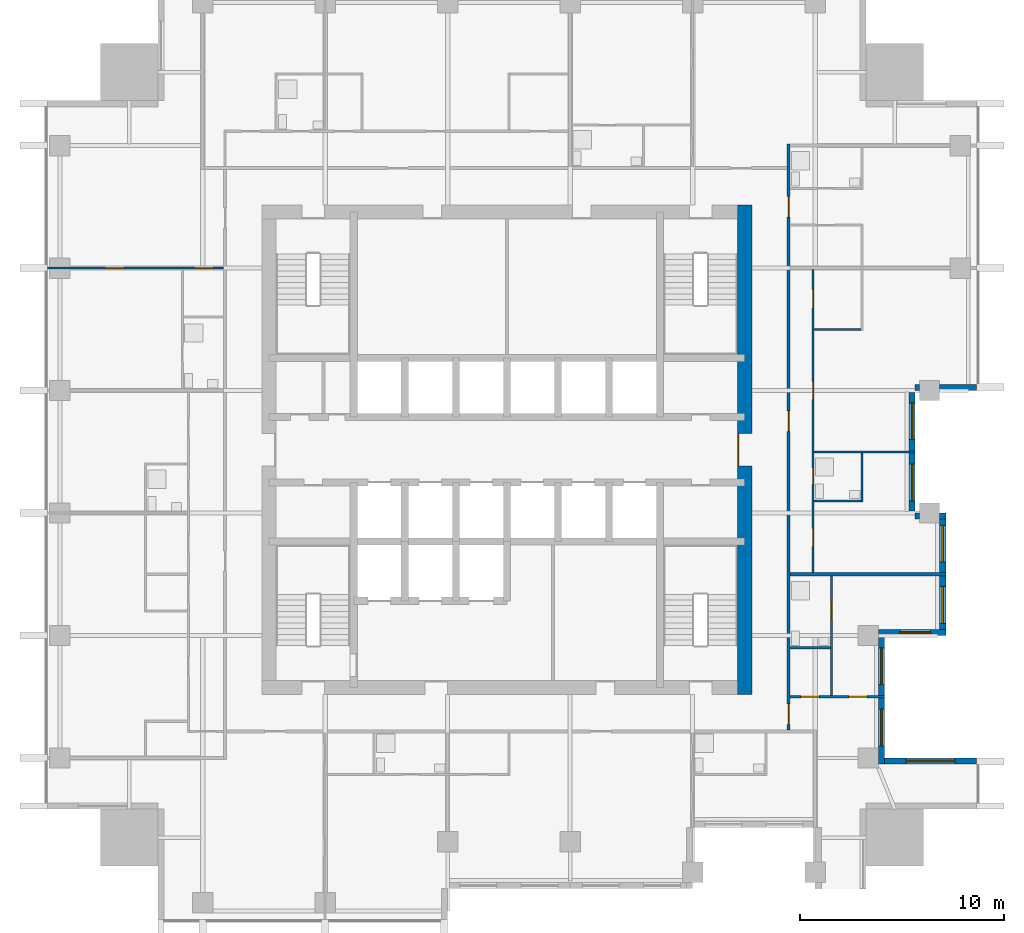
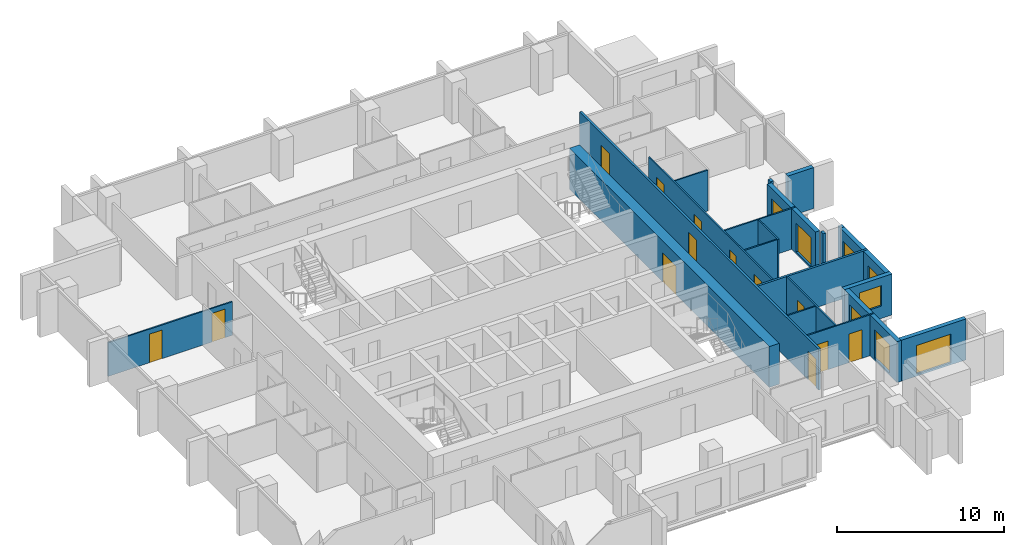
# One storey, part 6 of 10: 21 walls, 13 doors, 8 windows, 21 openings.
"""IFC4 building model written with IfcOpenShell, lengths in metres."""

from ifc_helpers import new_model, si_unit, direction, frame, frame_2d, origin, place, context, subcontext, project, spatial, rectangle, extrude, material, layer, layer_set, type_object, element, fill, save


model = new_model("IFC4")

# Units and contexts
model_context = context("Model", 3, precision=1e-05, world=origin(), true_north=direction((0.0, 1.0)))
body_context = subcontext(model_context, "Body", "Model", "MODEL_VIEW")
ifc_project = project(units=[si_unit("LENGTHUNIT", "METRE"), si_unit("AREAUNIT", "SQUARE_METRE"), si_unit("VOLUMEUNIT", "CUBIC_METRE"), si_unit("PLANEANGLEUNIT", "RADIAN"), si_unit("MASSUNIT", "GRAM", prefix="KILO")], contexts=[model_context])

# Site, building, storey
site_placement = place(None, origin())
site = spatial("IfcSite", under=ifc_project, at=site_placement, CompositionType="ELEMENT")
building_placement = place(site_placement, origin())
building = spatial("IfcBuilding", under=site, at=building_placement, Name="Amberfall Residences", CompositionType="ELEMENT")
storey_placement = place(building_placement, frame((0.0, 0.0, 147.10009765625)))
storey = spatial("IfcBuildingStorey", under=building, at=storey_placement, Name="L39", CompositionType="ELEMENT", Elevation=147.10009765625)

# Wall, opening, window
ifc_material_1 = material(Name="Pale stone cladding on insulated backing", Category="masonry")
ifc_layer_1 = layer(ifc_material_1, 0.300048828125)
ifc_layer_set_1 = layer_set([ifc_layer_1], Name="Bronze clad wall 300")
wall_type_1 = type_object("IfcWallType", Name="Bronze clad wall 300", PredefinedType="SOLIDWALL", material=ifc_layer_set_1)
wall_1_placement = place(storey_placement, frame((97.5, 30.25, 0.0), z_axis=(0.0, 0.0, 1.0), x_axis=(-1.0, 0.0, 0.0)))
wall_1 = element("IfcWall", 1, at=wall_1_placement, inside=storey, type_object=wall_type_1, Name="External wall L39 E", PredefinedType="SOLIDWALL", context=body_context, shape_type="SweptSolid", body=[
    extrude(rectangle(XDim=4.5, YDim=0.300048828125, at=frame_2d((2.25, 0.0))), origin(), (0.0, 0.0, 1.0), 3.0),
])
opening_1_placement = place(wall_1_placement, frame((1.050048828125, 0.0, 0.14990234375)))
opening_1 = element("IfcOpeningElement", 2, at=opening_1_placement, cuts=wall_1, Name="Opening WN5", PredefinedType="OPENING", context=body_context, shape_type="SweptSolid", body=[
    extrude(rectangle(XDim=2.39990234375, YDim=2.10009765625, at=frame_2d((1.199951171875, 1.050048828125))), frame((0.0, 0.159912109375, 0.0), z_axis=(0.0, -1.0, 0.0), x_axis=(1.0, 0.0, 0.0)), (0.0, 0.0, 1.0), 0.320068359375),
])
ifc_material_2 = material(Name="Bronze aluminium framed glazing", Category="aluminium")
window_type_1 = type_object("IfcWindowType", Name="Glazed opening 2400 x 2100 bronze", PartitioningType="DOUBLE_PANEL_VERTICAL", PredefinedType="WINDOW", material=ifc_material_2)
window_1_placement = place(opening_1_placement, origin())
window_1 = element("IfcWindow", 3, at=window_1_placement, inside=storey, type_object=window_type_1, Name="Window L39 E", OverallHeight=2.10009765625, OverallWidth=2.39990234375, PartitioningType="DOUBLE_PANEL_VERTICAL", PredefinedType="WINDOW", context=body_context, shape_type="SweptSolid", body=[
    extrude(rectangle(XDim=2.39990234375, YDim=2.10009765625, at=frame_2d((1.199951171875, 1.050048828125))), frame((0.0, 0.030029296875, 0.0), z_axis=(0.0, -1.0, 0.0), x_axis=(1.0, 0.0, 0.0)), (0.0, 0.0, 1.0), 0.06005859375),
])
fill(opening_1, window_1)

wall_2_placement = place(storey_placement, frame((92.699951171875, 36.550048828125, 0.0), z_axis=(0.0, 0.0, 1.0), x_axis=(1.0, 0.0, 0.0)))
wall_2 = element("IfcWall", 4, at=wall_2_placement, inside=storey, type_object=wall_type_1, Name="External wall L39 E", PredefinedType="SOLIDWALL", context=body_context, shape_type="SweptSolid", body=[
    extrude(rectangle(XDim=3.300048828125, YDim=0.300048828125, at=frame_2d((1.64990234375, 0.0))), origin(), (0.0, 0.0, 1.0), 3.0),
])
opening_2_placement = place(wall_2_placement, frame((1.050048828125, 0.0, 0.89990234375)))
opening_2 = element("IfcOpeningElement", 5, at=opening_2_placement, cuts=wall_2, Name="Opening WN1", PredefinedType="OPENING", context=body_context, shape_type="SweptSolid", body=[
    extrude(rectangle(XDim=1.5, YDim=1.5, at=frame_2d((0.75, 0.75))), frame((0.0, 0.159912109375, 0.0), z_axis=(0.0, -1.0, 0.0), x_axis=(1.0, 0.0, 0.0)), (0.0, 0.0, 1.0), 0.320068359375),
])
window_type_2 = type_object("IfcWindowType", Name="Window 1500 x 1500 bronze", PartitioningType="DOUBLE_PANEL_VERTICAL", PredefinedType="WINDOW", material=ifc_material_2)
window_2_placement = place(opening_2_placement, origin())
window_2 = element("IfcWindow", 6, at=window_2_placement, inside=storey, type_object=window_type_2, Name="Window L39 E", OverallHeight=1.5, OverallWidth=1.5, PartitioningType="DOUBLE_PANEL_VERTICAL", PredefinedType="WINDOW", context=body_context, shape_type="SweptSolid", body=[
    extrude(rectangle(XDim=1.5, YDim=1.5, at=frame_2d((0.75, 0.75))), frame((0.0, 0.030029296875, 0.0), z_axis=(0.0, -1.0, 0.0), x_axis=(1.0, 0.0, 0.0)), (0.0, 0.0, 1.0), 0.06005859375),
])
fill(opening_2, window_2)

# Walls
wall_3_placement = place(storey_placement, frame((96.0, 42.25, 0.0), z_axis=(0.0, 0.0, 1.0), x_axis=(-1.0, 0.0, 0.0)))
element("IfcWall", 7, at=wall_3_placement, inside=storey, type_object=wall_type_1, Name="External wall L39 E", PredefinedType="SOLIDWALL", context=body_context, shape_type="SweptSolid", body=[
    extrude(rectangle(XDim=0.300048828125, YDim=0.300048828125, at=frame_2d((0.14990234375, 0.0))), origin(), (0.0, 0.0, 1.0), 3.0),
])
for number, where, z_axis, x_axis, name in (
    (8, (94.699951171875, 42.25, 0.0), (0.0, 0.0, 1.0), (-1.0, 0.0, 0.0), "External wall L39 E"),
    (9, (94.5, 48.550048828125, 0.0), (0.0, 0.0, 1.0), (1.0, 0.0, 0.0), "External wall L39 E"),
):
    element("IfcWall", number, at=place(storey_placement, frame(where, z_axis=z_axis, x_axis=x_axis)), inside=storey, type_object=wall_type_1, Name=name, PredefinedType="SOLIDWALL", context=body_context, shape_type="SweptSolid", body=[
        extrude(rectangle(XDim=0.199951171875, YDim=0.300048828125, at=frame_2d((0.10009765625, 0.0))), origin(), (0.0, 0.0, 1.0), 3.0),
    ])
wall_4_placement = place(storey_placement, frame((95.699951171875, 48.550048828125, 0.0), z_axis=(0.0, 0.0, 1.0), x_axis=(1.0, 0.0, 0.0)))
element("IfcWall", 10, at=wall_4_placement, inside=storey, type_object=wall_type_1, Name="External wall L39 E", PredefinedType="SOLIDWALL", context=body_context, shape_type="SweptSolid", body=[
    extrude(rectangle(XDim=1.800048828125, YDim=0.300048828125, at=frame_2d((0.89990234375, 0.0))), origin(), (0.0, 0.0, 1.0), 3.0),
])

# Wall, openings, windows
wall_5_placement = place(storey_placement, frame((92.85009765625, 30.10009765625, 0.0), z_axis=(0.0, 0.0, 1.0), x_axis=(0.0, 1.0, 0.0)))
wall_5 = element("IfcWall", 11, at=wall_5_placement, inside=storey, type_object=wall_type_1, Name="Stone wall L39 E", PredefinedType="SOLIDWALL", context=body_context, shape_type="SweptSolid", body=[
    extrude(rectangle(XDim=6.2998046875, YDim=0.300048828125, at=frame_2d((3.14990234375, 0.0))), origin(), (0.0, 0.0, 1.0), 3.0),
])
opening_3_placement = place(wall_5_placement, frame((0.89990234375, 0.0, 0.14990234375)))
opening_3 = element("IfcOpeningElement", 12, at=opening_3_placement, cuts=wall_5, Name="Opening WN6", PredefinedType="OPENING", context=body_context, shape_type="SweptSolid", body=[
    extrude(rectangle(XDim=1.800048828125, YDim=2.10009765625, at=frame_2d((0.89990234375, 1.050048828125))), frame((0.0, 0.159912109375, 0.0), z_axis=(0.0, -1.0, 0.0), x_axis=(1.0, 0.0, 0.0)), (0.0, 0.0, 1.0), 0.320068359375),
])
opening_4_placement = place(wall_5_placement, frame((3.89990234375, 0.0, 0.14990234375)))
opening_4 = element("IfcOpeningElement", 13, at=opening_4_placement, cuts=wall_5, Name="Opening WN6", PredefinedType="OPENING", context=body_context, shape_type="SweptSolid", body=[
    extrude(rectangle(XDim=1.800048828125, YDim=2.10009765625, at=frame_2d((0.89990234375, 1.050048828125))), frame((0.0, 0.159912109375, 0.0), z_axis=(0.0, -1.0, 0.0), x_axis=(1.0, 0.0, 0.0)), (0.0, 0.0, 1.0), 0.320068359375),
])
window_type_3 = type_object("IfcWindowType", Name="Glazed opening 1800 x 2100 bronze", PartitioningType="DOUBLE_PANEL_VERTICAL", PredefinedType="WINDOW", material=ifc_material_2)
window_3_placement = place(opening_3_placement, origin())
window_3 = element("IfcWindow", 14, at=window_3_placement, inside=storey, type_object=window_type_3, Name="Window L39 E", OverallHeight=2.10009765625, OverallWidth=1.800048828125, PartitioningType="DOUBLE_PANEL_VERTICAL", PredefinedType="WINDOW", context=body_context, shape_type="SweptSolid", body=[
    extrude(rectangle(XDim=1.800048828125, YDim=2.10009765625, at=frame_2d((0.89990234375, 1.050048828125))), frame((0.0, 0.030029296875, 0.0), z_axis=(0.0, -1.0, 0.0), x_axis=(1.0, 0.0, 0.0)), (0.0, 0.0, 1.0), 0.06005859375),
])
fill(opening_3, window_3)
window_4_placement = place(opening_4_placement, origin())
window_4 = element("IfcWindow", 15, at=window_4_placement, inside=storey, type_object=window_type_3, Name="Window L39 E", OverallHeight=2.10009765625, OverallWidth=1.800048828125, PartitioningType="DOUBLE_PANEL_VERTICAL", PredefinedType="WINDOW", context=body_context, shape_type="SweptSolid", body=[
    extrude(rectangle(XDim=1.800048828125, YDim=2.10009765625, at=frame_2d((0.89990234375, 1.050048828125))), frame((0.0, 0.030029296875, 0.0), z_axis=(0.0, -1.0, 0.0), x_axis=(1.0, 0.0, 0.0)), (0.0, 0.0, 1.0), 0.06005859375),
])
fill(opening_4, window_4)

wall_6_placement = place(storey_placement, frame((95.85009765625, 36.699951171875, 0.0), z_axis=(0.0, 0.0, 1.0), x_axis=(0.0, 1.0, 0.0)))
wall_6 = element("IfcWall", 16, at=wall_6_placement, inside=storey, type_object=wall_type_1, Name="Stone wall L39 E", PredefinedType="SOLIDWALL", context=body_context, shape_type="SweptSolid", body=[
    extrude(rectangle(XDim=5.400146484375, YDim=0.300048828125, at=frame_2d((2.7001953125, 0.0))), origin(), (0.0, 0.0, 1.0), 3.0),
])
opening_5_placement = place(wall_6_placement, frame((0.300048828125, 0.0, 0.14990234375)))
opening_5 = element("IfcOpeningElement", 17, at=opening_5_placement, cuts=wall_6, Name="Opening WN6", PredefinedType="OPENING", context=body_context, shape_type="SweptSolid", body=[
    extrude(rectangle(XDim=1.800048828125, YDim=2.10009765625, at=frame_2d((0.89990234375, 1.050048828125))), frame((0.0, 0.159912109375, 0.0), z_axis=(0.0, -1.0, 0.0), x_axis=(1.0, 0.0, 0.0)), (0.0, 0.0, 1.0), 0.320068359375),
])
opening_6_placement = place(wall_6_placement, frame((3.300048828125, 0.0, 0.14990234375)))
opening_6 = element("IfcOpeningElement", 18, at=opening_6_placement, cuts=wall_6, Name="Opening WN6", PredefinedType="OPENING", context=body_context, shape_type="SweptSolid", body=[
    extrude(rectangle(XDim=1.800048828125, YDim=2.10009765625, at=frame_2d((0.89990234375, 1.050048828125))), frame((0.0, 0.159912109375, 0.0), z_axis=(0.0, -1.0, 0.0), x_axis=(1.0, 0.0, 0.0)), (0.0, 0.0, 1.0), 0.320068359375),
])
window_5_placement = place(opening_5_placement, origin())
window_5 = element("IfcWindow", 19, at=window_5_placement, inside=storey, type_object=window_type_3, Name="Window L39 E", OverallHeight=2.10009765625, OverallWidth=1.800048828125, PartitioningType="DOUBLE_PANEL_VERTICAL", PredefinedType="WINDOW", context=body_context, shape_type="SweptSolid", body=[
    extrude(rectangle(XDim=1.800048828125, YDim=2.10009765625, at=frame_2d((0.89990234375, 1.050048828125))), frame((0.0, 0.030029296875, 0.0), z_axis=(0.0, -1.0, 0.0), x_axis=(1.0, 0.0, 0.0)), (0.0, 0.0, 1.0), 0.06005859375),
])
fill(opening_5, window_5)
window_6_placement = place(opening_6_placement, origin())
window_6 = element("IfcWindow", 20, at=window_6_placement, inside=storey, type_object=window_type_3, Name="Window L39 E", OverallHeight=2.10009765625, OverallWidth=1.800048828125, PartitioningType="DOUBLE_PANEL_VERTICAL", PredefinedType="WINDOW", context=body_context, shape_type="SweptSolid", body=[
    extrude(rectangle(XDim=1.800048828125, YDim=2.10009765625, at=frame_2d((0.89990234375, 1.050048828125))), frame((0.0, 0.030029296875, 0.0), z_axis=(0.0, -1.0, 0.0), x_axis=(1.0, 0.0, 0.0)), (0.0, 0.0, 1.0), 0.06005859375),
])
fill(opening_6, window_6)

wall_7_placement = place(storey_placement, frame((94.35009765625, 42.5, 0.0), z_axis=(0.0, 0.0, 1.0), x_axis=(0.0, 1.0, 0.0)))
wall_7 = element("IfcWall", 21, at=wall_7_placement, inside=storey, type_object=wall_type_1, Name="Stone wall L39 E", PredefinedType="SOLIDWALL", context=body_context, shape_type="SweptSolid", body=[
    extrude(rectangle(XDim=5.800048828125, YDim=0.300048828125, at=frame_2d((2.89990234375, 0.0))), origin(), (0.0, 0.0, 1.0), 3.0),
])
opening_7_placement = place(wall_7_placement, frame((0.5, 0.0, 0.14990234375)))
opening_7 = element("IfcOpeningElement", 22, at=opening_7_placement, cuts=wall_7, Name="Opening WN6", PredefinedType="OPENING", context=body_context, shape_type="SweptSolid", body=[
    extrude(rectangle(XDim=1.800048828125, YDim=2.10009765625, at=frame_2d((0.89990234375, 1.050048828125))), frame((0.0, 0.159912109375, 0.0), z_axis=(0.0, -1.0, 0.0), x_axis=(1.0, 0.0, 0.0)), (0.0, 0.0, 1.0), 0.320068359375),
])
opening_8_placement = place(wall_7_placement, frame((3.5, 0.0, 0.14990234375)))
opening_8 = element("IfcOpeningElement", 23, at=opening_8_placement, cuts=wall_7, Name="Opening WN6", PredefinedType="OPENING", context=body_context, shape_type="SweptSolid", body=[
    extrude(rectangle(XDim=1.800048828125, YDim=2.10009765625, at=frame_2d((0.89990234375, 1.050048828125))), frame((0.0, 0.159912109375, 0.0), z_axis=(0.0, -1.0, 0.0), x_axis=(1.0, 0.0, 0.0)), (0.0, 0.0, 1.0), 0.320068359375),
])
window_7_placement = place(opening_7_placement, origin())
window_7 = element("IfcWindow", 24, at=window_7_placement, inside=storey, type_object=window_type_3, Name="Window L39 E", OverallHeight=2.10009765625, OverallWidth=1.800048828125, PartitioningType="DOUBLE_PANEL_VERTICAL", PredefinedType="WINDOW", context=body_context, shape_type="SweptSolid", body=[
    extrude(rectangle(XDim=1.800048828125, YDim=2.10009765625, at=frame_2d((0.89990234375, 1.050048828125))), frame((0.0, 0.030029296875, 0.0), z_axis=(0.0, -1.0, 0.0), x_axis=(1.0, 0.0, 0.0)), (0.0, 0.0, 1.0), 0.06005859375),
])
fill(opening_7, window_7)
window_8_placement = place(opening_8_placement, origin())
window_8 = element("IfcWindow", 25, at=window_8_placement, inside=storey, type_object=window_type_3, Name="Window L39 E", OverallHeight=2.10009765625, OverallWidth=1.800048828125, PartitioningType="DOUBLE_PANEL_VERTICAL", PredefinedType="WINDOW", context=body_context, shape_type="SweptSolid", body=[
    extrude(rectangle(XDim=1.800048828125, YDim=2.10009765625, at=frame_2d((0.89990234375, 1.050048828125))), frame((0.0, 0.030029296875, 0.0), z_axis=(0.0, -1.0, 0.0), x_axis=(1.0, 0.0, 0.0)), (0.0, 0.0, 1.0), 0.06005859375),
])
fill(opening_8, window_8)

# Wall, opening, door
ifc_material_3 = material(Name="Concrete C60", Category="concrete")
ifc_layer_2 = layer(ifc_material_3, 0.699951171875)
ifc_layer_set_2 = layer_set([ifc_layer_2], Name="Core wall 700 C60")
wall_type_2 = type_object("IfcWallType", Name="Core wall 700 C60", PredefinedType="SHEAR", material=ifc_layer_set_2)
wall_8_placement = place(storey_placement, frame((86.14990234375, 33.5, 0.0), z_axis=(0.0, 0.0, 1.0), x_axis=(0.0, 1.0, 0.0)))
wall_8 = element("IfcWall", 26, at=wall_8_placement, inside=storey, type_object=wall_type_2, Name="Core wall RW5 L39 OE", PredefinedType="SHEAR", context=body_context, shape_type="SweptSolid", body=[
    extrude(rectangle(XDim=24.0, YDim=0.699951171875, at=frame_2d((12.0, 0.0))), origin(), (0.0, 0.0, 1.0), 3.0),
])
opening_9_placement = place(wall_8_placement, frame((11.199951171875, 0.0, 0.0)))
opening_9 = element("IfcOpeningElement", 27, at=opening_9_placement, cuts=wall_8, Name="Opening LB1", PredefinedType="OPENING", context=body_context, shape_type="SweptSolid", body=[
    extrude(rectangle(XDim=1.60009765625, YDim=2.10009765625, at=frame_2d((0.800048828125, 1.050048828125))), frame((0.0, 0.35986328125, 0.0), z_axis=(0.0, -1.0, 0.0), x_axis=(1.0, 0.0, 0.0)), (0.0, 0.0, 1.0), 0.719970703125),
])
ifc_material_4 = material(Name="Steel fire door set", Category="steel")
door_type_1 = type_object("IfcDoorType", Name="Lift lobby double door 1600 x 2100", OperationType="DOUBLE_DOOR_SINGLE_SWING", PredefinedType="DOOR", material=ifc_material_4)
door_1_placement = place(opening_9_placement, origin())
door_1 = element("IfcDoor", 28, at=door_1_placement, inside=storey, type_object=door_type_1, Name="LB1 L39", OperationType="DOUBLE_DOOR_SINGLE_SWING", OverallHeight=2.10009765625, OverallWidth=1.60009765625, PredefinedType="DOOR", context=body_context, shape_type="SweptSolid", body=[
    extrude(rectangle(XDim=1.60009765625, YDim=2.10009765625, at=frame_2d((0.800048828125, 1.050048828125))), frame((0.0, 0.33740234375, 0.0), z_axis=(0.0, -1.0, 0.0), x_axis=(1.0, 0.0, 0.0)), (0.0, 0.0, 1.0), 0.050048828125),
])
fill(opening_9, door_1)

# Wall, openings, doors
ifc_material_5 = material(Name="Gypsum board on metal stud")
ifc_layer_3 = layer(ifc_material_5, 0.10009765625)
ifc_layer_set_3 = layer_set([ifc_layer_3], Name="Flat partition 100")
wall_type_3 = type_object("IfcWallType", Name="Flat partition 100", PredefinedType="PARTITIONING", material=ifc_layer_set_3)
wall_9_placement = place(storey_placement, frame((89.5, 54.324951171875, 0.0), z_axis=(0.0, 0.0, 1.0), x_axis=(0.0, -1.0, 0.0)))
wall_9 = element("IfcWall", 29, at=wall_9_placement, inside=storey, type_object=wall_type_3, Name="Partition 017", PredefinedType="PARTITIONING", context=body_context, shape_type="SweptSolid", body=[
    extrude(rectangle(XDim=14.849853515625, YDim=0.10009765625, at=frame_2d((7.4248046875, 0.0))), origin(), (0.0, 0.0, 1.0), 3.0),
])
opening_10_placement = place(wall_9_placement, frame((5.47509765625, 0.0, 0.0)))
opening_10 = element("IfcOpeningElement", 30, at=opening_10_placement, cuts=wall_9, Name="Opening D41", PredefinedType="OPENING", context=body_context, shape_type="SweptSolid", body=[
    extrude(rectangle(XDim=0.89990234375, YDim=2.10009765625, at=frame_2d((0.449951171875, 1.050048828125))), frame((0.0, 0.06005859375, 0.0), z_axis=(0.0, -1.0, 0.0), x_axis=(1.0, 0.0, 0.0)), (0.0, 0.0, 1.0), 0.1201171875),
])
opening_11_placement = place(wall_9_placement, frame((0.97509765625, 0.0, 0.0)))
opening_11 = element("IfcOpeningElement", 31, at=opening_11_placement, cuts=wall_9, Name="Opening D41", PredefinedType="OPENING", context=body_context, shape_type="SweptSolid", body=[
    extrude(rectangle(XDim=0.89990234375, YDim=2.10009765625, at=frame_2d((0.449951171875, 1.050048828125))), frame((0.0, 0.06005859375, 0.0), z_axis=(0.0, -1.0, 0.0), x_axis=(1.0, 0.0, 0.0)), (0.0, 0.0, 1.0), 0.1201171875),
])
opening_12_placement = place(wall_9_placement, frame((12.675048828125, 0.0, 0.0)))
opening_12 = element("IfcOpeningElement", 32, at=opening_12_placement, cuts=wall_9, Name="Opening D41", PredefinedType="OPENING", context=body_context, shape_type="SweptSolid", body=[
    extrude(rectangle(XDim=0.89990234375, YDim=2.10009765625, at=frame_2d((0.449951171875, 1.050048828125))), frame((0.0, 0.06005859375, 0.0), z_axis=(0.0, -1.0, 0.0), x_axis=(1.0, 0.0, 0.0)), (0.0, 0.0, 1.0), 0.1201171875),
])
opening_13_placement = place(wall_9_placement, frame((9.72509765625, 0.0, 0.0)))
opening_13 = element("IfcOpeningElement", 33, at=opening_13_placement, cuts=wall_9, Name="Opening D42", PredefinedType="OPENING", context=body_context, shape_type="SweptSolid", body=[
    extrude(rectangle(XDim=0.800048828125, YDim=2.10009765625, at=frame_2d((0.39990234375, 1.050048828125))), frame((0.0, 0.06005859375, 0.0), z_axis=(0.0, -1.0, 0.0), x_axis=(1.0, 0.0, 0.0)), (0.0, 0.0, 1.0), 0.1201171875),
])
ifc_material_6 = material(Name="Timber", Category="wood")
door_type_2 = type_object("IfcDoorType", Name="Bathroom door 800 x 2100", OperationType="SINGLE_SWING_LEFT", PredefinedType="DOOR", material=ifc_material_6)
door_2_placement = place(opening_13_placement, origin())
door_2 = element("IfcDoor", 34, at=door_2_placement, inside=storey, type_object=door_type_2, Name="Door 3904 bath1", OperationType="SINGLE_SWING_LEFT", OverallHeight=2.10009765625, OverallWidth=0.800048828125, PredefinedType="DOOR", context=body_context, shape_type="SweptSolid", body=[
    extrude(rectangle(XDim=0.800048828125, YDim=2.10009765625, at=frame_2d((0.39990234375, 1.050048828125))), frame((0.0, 0.02490234375, 0.0), z_axis=(0.0, -1.0, 0.0), x_axis=(1.0, 0.0, 0.0)), (0.0, 0.0, 1.0), 0.050048828125),
])
fill(opening_13, door_2)
door_type_3 = type_object("IfcDoorType", Name="Internal door 900 x 2100", OperationType="SINGLE_SWING_LEFT", PredefinedType="DOOR", material=ifc_material_6)
door_3_placement = place(opening_10_placement, origin())
door_3 = element("IfcDoor", 35, at=door_3_placement, inside=storey, type_object=door_type_3, Name="Door 3904 living", OperationType="SINGLE_SWING_LEFT", OverallHeight=2.10009765625, OverallWidth=0.89990234375, PredefinedType="DOOR", context=body_context, shape_type="SweptSolid", body=[
    extrude(rectangle(XDim=0.89990234375, YDim=2.10009765625, at=frame_2d((0.449951171875, 1.050048828125))), frame((0.0, 0.02490234375, 0.0), z_axis=(0.0, -1.0, 0.0), x_axis=(1.0, 0.0, 0.0)), (0.0, 0.0, 1.0), 0.050048828125),
])
fill(opening_10, door_3)
door_4_placement = place(opening_11_placement, origin())
door_4 = element("IfcDoor", 36, at=door_4_placement, inside=storey, type_object=door_type_3, Name="Door 3904 kitchen", OperationType="SINGLE_SWING_LEFT", OverallHeight=2.10009765625, OverallWidth=0.89990234375, PredefinedType="DOOR", context=body_context, shape_type="SweptSolid", body=[
    extrude(rectangle(XDim=0.89990234375, YDim=2.10009765625, at=frame_2d((0.449951171875, 1.050048828125))), frame((0.0, 0.02490234375, 0.0), z_axis=(0.0, -1.0, 0.0), x_axis=(1.0, 0.0, 0.0)), (0.0, 0.0, 1.0), 0.050048828125),
])
fill(opening_11, door_4)
door_5_placement = place(opening_12_placement, origin())
door_5 = element("IfcDoor", 37, at=door_5_placement, inside=storey, type_object=door_type_3, Name="Door 3904 bedroom1", OperationType="SINGLE_SWING_LEFT", OverallHeight=2.10009765625, OverallWidth=0.89990234375, PredefinedType="DOOR", context=body_context, shape_type="SweptSolid", body=[
    extrude(rectangle(XDim=0.89990234375, YDim=2.10009765625, at=frame_2d((0.449951171875, 1.050048828125))), frame((0.0, 0.02490234375, 0.0), z_axis=(0.0, -1.0, 0.0), x_axis=(1.0, 0.0, 0.0)), (0.0, 0.0, 1.0), 0.050048828125),
])
fill(opening_12, door_5)

# Wall, opening, door
wall_10_placement = place(storey_placement, frame((90.39990234375, 33.449951171875, 0.0), z_axis=(0.0, 0.0, 1.0), x_axis=(0.0, 1.0, 0.0)))
wall_10 = element("IfcWall", 38, at=wall_10_placement, inside=storey, type_object=wall_type_3, Name="Partition 018", PredefinedType="PARTITIONING", context=body_context, shape_type="SweptSolid", body=[
    extrude(rectangle(XDim=5.875, YDim=0.10009765625, at=frame_2d((2.9375, 0.0))), origin(), (0.0, 0.0, 1.0), 3.0),
])
opening_14_placement = place(wall_10_placement, frame((3.75, 0.0, 0.0)))
opening_14 = element("IfcOpeningElement", 39, at=opening_14_placement, cuts=wall_10, Name="Opening D42", PredefinedType="OPENING", context=body_context, shape_type="SweptSolid", body=[
    extrude(rectangle(XDim=0.800048828125, YDim=2.10009765625, at=frame_2d((0.39990234375, 1.050048828125))), frame((0.0, 0.06005859375, 0.0), z_axis=(0.0, -1.0, 0.0), x_axis=(1.0, 0.0, 0.0)), (0.0, 0.0, 1.0), 0.1201171875),
])
door_6_placement = place(opening_14_placement, origin())
door_6 = element("IfcDoor", 40, at=door_6_placement, inside=storey, type_object=door_type_2, Name="Door 3903 bath1", OperationType="SINGLE_SWING_LEFT", OverallHeight=2.10009765625, OverallWidth=0.800048828125, PredefinedType="DOOR", context=body_context, shape_type="SweptSolid", body=[
    extrude(rectangle(XDim=0.800048828125, YDim=2.10009765625, at=frame_2d((0.39990234375, 1.050048828125))), frame((0.0, 0.02490234375, 0.0), z_axis=(0.0, -1.0, 0.0), x_axis=(1.0, 0.0, 0.0)), (0.0, 0.0, 1.0), 0.050048828125),
])
fill(opening_14, door_6)

# Wall
wall_11_placement = place(storey_placement, frame((91.89990234375, 42.949951171875, 0.0), z_axis=(0.0, 0.0, 1.0), x_axis=(0.0, 1.0, 0.0)))
element("IfcWall", 41, at=wall_11_placement, inside=storey, type_object=wall_type_3, Name="Partition 019", PredefinedType="PARTITIONING", context=body_context, shape_type="SweptSolid", body=[
    extrude(rectangle(XDim=2.400146484375, YDim=0.10009765625, at=frame_2d((1.2001953125, 0.0))), origin(), (0.0, 0.0, 1.0), 3.0),
])

# Wall, openings, doors
wall_12_placement = place(storey_placement, frame((60.625, 54.39990234375, 0.0), z_axis=(0.0, 0.0, 1.0), x_axis=(-1.0, 0.0, 0.0)))
wall_12 = element("IfcWall", 42, at=wall_12_placement, inside=storey, type_object=wall_type_3, Name="Partition 028", PredefinedType="PARTITIONING", context=body_context, shape_type="SweptSolid", body=[
    extrude(rectangle(XDim=8.625, YDim=0.10009765625, at=frame_2d((4.3125, 0.0))), origin(), (0.0, 0.0, 1.0), 2.4658203125),
])
opening_15_placement = place(wall_12_placement, frame((0.52490234375, 0.0, 0.0)))
opening_15 = element("IfcOpeningElement", 43, at=opening_15_placement, cuts=wall_12, Name="Opening D41", PredefinedType="OPENING", context=body_context, shape_type="SweptSolid", body=[
    extrude(rectangle(XDim=0.89990234375, YDim=2.10009765625, at=frame_2d((0.449951171875, 1.050048828125))), frame((0.0, 0.06005859375, 0.0), z_axis=(0.0, -1.0, 0.0), x_axis=(1.0, 0.0, 0.0)), (0.0, 0.0, 1.0), 0.1201171875),
])
opening_16_placement = place(wall_12_placement, frame((4.875, 0.0, 0.0)))
opening_16 = element("IfcOpeningElement", 44, at=opening_16_placement, cuts=wall_12, Name="Opening D41", PredefinedType="OPENING", context=body_context, shape_type="SweptSolid", body=[
    extrude(rectangle(XDim=0.89990234375, YDim=2.10009765625, at=frame_2d((0.449951171875, 1.050048828125))), frame((0.0, 0.06005859375, 0.0), z_axis=(0.0, -1.0, 0.0), x_axis=(1.0, 0.0, 0.0)), (0.0, 0.0, 1.0), 0.1201171875),
])
door_7_placement = place(opening_15_placement, origin())
door_7 = element("IfcDoor", 45, at=door_7_placement, inside=storey, type_object=door_type_3, Name="Door 3909 kitchen", OperationType="SINGLE_SWING_LEFT", OverallHeight=2.10009765625, OverallWidth=0.89990234375, PredefinedType="DOOR", context=body_context, shape_type="SweptSolid", body=[
    extrude(rectangle(XDim=0.89990234375, YDim=2.10009765625, at=frame_2d((0.449951171875, 1.050048828125))), frame((0.0, 0.02490234375, 0.0), z_axis=(0.0, -1.0, 0.0), x_axis=(1.0, 0.0, 0.0)), (0.0, 0.0, 1.0), 0.050048828125),
])
fill(opening_15, door_7)
door_8_placement = place(opening_16_placement, origin())
door_8 = element("IfcDoor", 46, at=door_8_placement, inside=storey, type_object=door_type_3, Name="Door 3909 bedroom1", OperationType="SINGLE_SWING_LEFT", OverallHeight=2.10009765625, OverallWidth=0.89990234375, PredefinedType="DOOR", context=body_context, shape_type="SweptSolid", body=[
    extrude(rectangle(XDim=0.89990234375, YDim=2.10009765625, at=frame_2d((0.449951171875, 1.050048828125))), frame((0.0, 0.02490234375, 0.0), z_axis=(0.0, -1.0, 0.0), x_axis=(1.0, 0.0, 0.0)), (0.0, 0.0, 1.0), 0.050048828125),
])
fill(opening_16, door_8)

# Walls
wall_13_placement = place(storey_placement, frame((89.550048828125, 51.39990234375, 0.0), z_axis=(0.0, 0.0, 1.0), x_axis=(1.0, 0.0, 0.0)))
element("IfcWall", 47, at=wall_13_placement, inside=storey, type_object=wall_type_3, Name="Partition 030", PredefinedType="PARTITIONING", context=body_context, shape_type="SweptSolid", body=[
    extrude(rectangle(XDim=2.300048828125, YDim=0.10009765625, at=frame_2d((1.14990234375, 0.0))), origin(), (0.0, 0.0, 1.0), 3.0),
])
wall_14_placement = place(storey_placement, frame((89.550048828125, 45.39990234375, 0.0), z_axis=(0.0, 0.0, 1.0), x_axis=(1.0, 0.0, 0.0)))
element("IfcWall", 48, at=wall_14_placement, inside=storey, type_object=wall_type_3, Name="Partition 031", PredefinedType="PARTITIONING", context=body_context, shape_type="SweptSolid", body=[
    extrude(rectangle(XDim=4.949951171875, YDim=0.10009765625, at=frame_2d((2.47509765625, 0.0))), origin(), (0.0, 0.0, 1.0), 3.0),
])
wall_15_placement = place(storey_placement, frame((89.550048828125, 43.0, 0.0), z_axis=(0.0, 0.0, 1.0), x_axis=(1.0, 0.0, 0.0)))
element("IfcWall", 49, at=wall_15_placement, inside=storey, type_object=wall_type_3, Name="Partition 033", PredefinedType="PARTITIONING", context=body_context, shape_type="SweptSolid", body=[
    extrude(rectangle(XDim=2.300048828125, YDim=0.10009765625, at=frame_2d((1.14990234375, 0.0))), origin(), (0.0, 0.0, 1.0), 3.0),
])
wall_16_placement = place(storey_placement, frame((88.375, 35.800048828125, 0.0), z_axis=(0.0, 0.0, 1.0), x_axis=(1.0, 0.0, 0.0)))
element("IfcWall", 50, at=wall_16_placement, inside=storey, type_object=wall_type_3, Name="Partition 037", PredefinedType="PARTITIONING", context=body_context, shape_type="SweptSolid", body=[
    extrude(rectangle(XDim=1.97509765625, YDim=0.10009765625, at=frame_2d((0.987548828125, 0.0))), origin(), (0.0, 0.0, 1.0), 3.0),
])

# Wall, openings, doors
wall_17_placement = place(storey_placement, frame((88.375, 33.39990234375, 0.0), z_axis=(0.0, 0.0, 1.0), x_axis=(1.0, 0.0, 0.0)))
wall_17 = element("IfcWall", 51, at=wall_17_placement, inside=storey, type_object=wall_type_3, Name="Partition 038", PredefinedType="PARTITIONING", context=body_context, shape_type="SweptSolid", body=[
    extrude(rectangle(XDim=4.625, YDim=0.10009765625, at=frame_2d((2.3125, 0.0))), origin(), (0.0, 0.0, 1.0), 3.0),
])
opening_17_placement = place(wall_17_placement, frame((0.52490234375, 0.0, 0.0)))
opening_17 = element("IfcOpeningElement", 52, at=opening_17_placement, cuts=wall_17, Name="Opening D41", PredefinedType="OPENING", context=body_context, shape_type="SweptSolid", body=[
    extrude(rectangle(XDim=0.89990234375, YDim=2.10009765625, at=frame_2d((0.449951171875, 1.050048828125))), frame((0.0, 0.06005859375, 0.0), z_axis=(0.0, -1.0, 0.0), x_axis=(1.0, 0.0, 0.0)), (0.0, 0.0, 1.0), 0.1201171875),
])
opening_18_placement = place(wall_17_placement, frame((2.875, 0.0, 0.0)))
opening_18 = element("IfcOpeningElement", 53, at=opening_18_placement, cuts=wall_17, Name="Opening D41", PredefinedType="OPENING", context=body_context, shape_type="SweptSolid", body=[
    extrude(rectangle(XDim=0.89990234375, YDim=2.10009765625, at=frame_2d((0.449951171875, 1.050048828125))), frame((0.0, 0.06005859375, 0.0), z_axis=(0.0, -1.0, 0.0), x_axis=(1.0, 0.0, 0.0)), (0.0, 0.0, 1.0), 0.1201171875),
])
door_9_placement = place(opening_17_placement, origin())
door_9 = element("IfcDoor", 54, at=door_9_placement, inside=storey, type_object=door_type_3, Name="Door 3903 kitchen", OperationType="SINGLE_SWING_LEFT", OverallHeight=2.10009765625, OverallWidth=0.89990234375, PredefinedType="DOOR", context=body_context, shape_type="SweptSolid", body=[
    extrude(rectangle(XDim=0.89990234375, YDim=2.10009765625, at=frame_2d((0.449951171875, 1.050048828125))), frame((0.0, 0.02490234375, 0.0), z_axis=(0.0, -1.0, 0.0), x_axis=(1.0, 0.0, 0.0)), (0.0, 0.0, 1.0), 0.050048828125),
])
fill(opening_17, door_9)
door_10_placement = place(opening_18_placement, origin())
door_10 = element("IfcDoor", 55, at=door_10_placement, inside=storey, type_object=door_type_3, Name="Door 3903 bedroom1", OperationType="SINGLE_SWING_LEFT", OverallHeight=2.10009765625, OverallWidth=0.89990234375, PredefinedType="DOOR", context=body_context, shape_type="SweptSolid", body=[
    extrude(rectangle(XDim=0.89990234375, YDim=2.10009765625, at=frame_2d((0.449951171875, 1.050048828125))), frame((0.0, 0.02490234375, 0.0), z_axis=(0.0, -1.0, 0.0), x_axis=(1.0, 0.0, 0.0)), (0.0, 0.0, 1.0), 0.050048828125),
])
fill(opening_18, door_10)

ifc_material_7 = material(Name="Blockwork, plastered", Category="masonry")
ifc_layer_4 = layer(ifc_material_7, 0.14990234375)
ifc_layer_set_4 = layer_set([ifc_layer_4], Name="Flat separating wall 150")
wall_type_4 = type_object("IfcWallType", Name="Flat separating wall 150", PredefinedType="PARTITIONING", material=ifc_layer_set_4)
wall_18_placement = place(storey_placement, frame((88.300048828125, 60.47509765625, 0.0), z_axis=(0.0, 0.0, 1.0), x_axis=(0.0, -1.0, 0.0)))
wall_18 = element("IfcWall", 56, at=wall_18_placement, inside=storey, type_object=wall_type_4, Name="Separating wall 047", PredefinedType="PARTITIONING", context=body_context, shape_type="SweptSolid", body=[
    extrude(rectangle(XDim=28.7001953125, YDim=0.14990234375, at=frame_2d((14.35009765625, 0.0))), origin(), (0.0, 0.0, 1.0), 3.0),
])
opening_19_placement = place(wall_18_placement, frame((27.425048828125, 0.0, 0.0)))
opening_19 = element("IfcOpeningElement", 57, at=opening_19_placement, cuts=wall_18, Name="Opening D40", PredefinedType="OPENING", context=body_context, shape_type="SweptSolid", body=[
    extrude(rectangle(XDim=1.0, YDim=2.10009765625, at=frame_2d((0.5, 1.050048828125))), frame((0.0, 0.0849609375, 0.0), z_axis=(0.0, -1.0, 0.0), x_axis=(1.0, 0.0, 0.0)), (0.0, 0.0, 1.0), 0.169921875),
])
opening_20_placement = place(wall_18_placement, frame((13.074951171875, 0.0, 0.0)))
opening_20 = element("IfcOpeningElement", 58, at=opening_20_placement, cuts=wall_18, Name="Opening D40", PredefinedType="OPENING", context=body_context, shape_type="SweptSolid", body=[
    extrude(rectangle(XDim=1.0, YDim=2.10009765625, at=frame_2d((0.5, 1.050048828125))), frame((0.0, 0.0849609375, 0.0), z_axis=(0.0, -1.0, 0.0), x_axis=(1.0, 0.0, 0.0)), (0.0, 0.0, 1.0), 0.169921875),
])
opening_21_placement = place(wall_18_placement, frame((2.574951171875, 0.0, 0.0)))
opening_21 = element("IfcOpeningElement", 59, at=opening_21_placement, cuts=wall_18, Name="Opening D40", PredefinedType="OPENING", context=body_context, shape_type="SweptSolid", body=[
    extrude(rectangle(XDim=1.0, YDim=2.10009765625, at=frame_2d((0.5, 1.050048828125))), frame((0.0, 0.0849609375, 0.0), z_axis=(0.0, -1.0, 0.0), x_axis=(1.0, 0.0, 0.0)), (0.0, 0.0, 1.0), 0.169921875),
])
ifc_material_8 = material(Name="Timber, fire-rated", Category="wood")
door_type_4 = type_object("IfcDoorType", Name="Flat entrance door FD60 1000 x 2100", OperationType="SINGLE_SWING_LEFT", PredefinedType="DOOR", material=ifc_material_8)
door_11_placement = place(opening_19_placement, origin())
door_11 = element("IfcDoor", 60, at=door_11_placement, inside=storey, type_object=door_type_4, Name="Door 3903 entrance", OperationType="SINGLE_SWING_LEFT", OverallHeight=2.10009765625, OverallWidth=1.0, PredefinedType="DOOR", context=body_context, shape_type="SweptSolid", body=[
    extrude(rectangle(XDim=1.0, YDim=2.10009765625, at=frame_2d((0.5, 1.050048828125))), frame((0.0, 0.02490234375, 0.0), z_axis=(0.0, -1.0, 0.0), x_axis=(1.0, 0.0, 0.0)), (0.0, 0.0, 1.0), 0.050048828125),
])
fill(opening_19, door_11)
door_12_placement = place(opening_20_placement, origin())
door_12 = element("IfcDoor", 61, at=door_12_placement, inside=storey, type_object=door_type_4, Name="Door 3904 entrance", OperationType="SINGLE_SWING_LEFT", OverallHeight=2.10009765625, OverallWidth=1.0, PredefinedType="DOOR", context=body_context, shape_type="SweptSolid", body=[
    extrude(rectangle(XDim=1.0, YDim=2.10009765625, at=frame_2d((0.5, 1.050048828125))), frame((0.0, 0.02490234375, 0.0), z_axis=(0.0, -1.0, 0.0), x_axis=(1.0, 0.0, 0.0)), (0.0, 0.0, 1.0), 0.050048828125),
])
fill(opening_20, door_12)
door_13_placement = place(opening_21_placement, origin())
door_13 = element("IfcDoor", 62, at=door_13_placement, inside=storey, type_object=door_type_4, Name="Door 3905 entrance", OperationType="SINGLE_SWING_LEFT", OverallHeight=2.10009765625, OverallWidth=1.0, PredefinedType="DOOR", context=body_context, shape_type="SweptSolid", body=[
    extrude(rectangle(XDim=1.0, YDim=2.10009765625, at=frame_2d((0.5, 1.050048828125))), frame((0.0, 0.02490234375, 0.0), z_axis=(0.0, -1.0, 0.0), x_axis=(1.0, 0.0, 0.0)), (0.0, 0.0, 1.0), 0.050048828125),
])
fill(opening_21, door_13)

# Wall
wall_19_placement = place(storey_placement, frame((88.375, 39.39990234375, 0.0), z_axis=(0.0, 0.0, 1.0), x_axis=(1.0, 0.0, 0.0)))
element("IfcWall", 63, at=wall_19_placement, inside=storey, type_object=wall_type_4, Name="Separating wall 053", PredefinedType="PARTITIONING", context=body_context, shape_type="SweptSolid", body=[
    extrude(rectangle(XDim=7.625, YDim=0.14990234375, at=frame_2d((3.8125, 0.0))), origin(), (0.0, 0.0, 1.0), 3.0),
])

save(model, "model.ifc")
